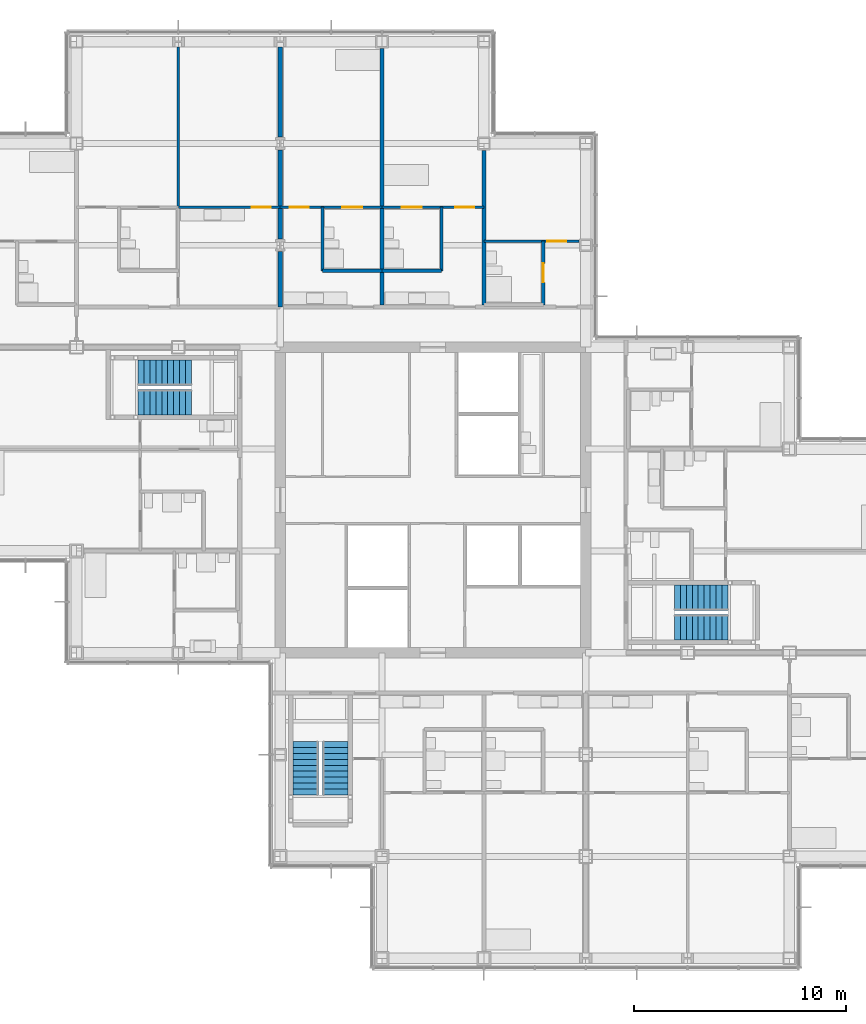
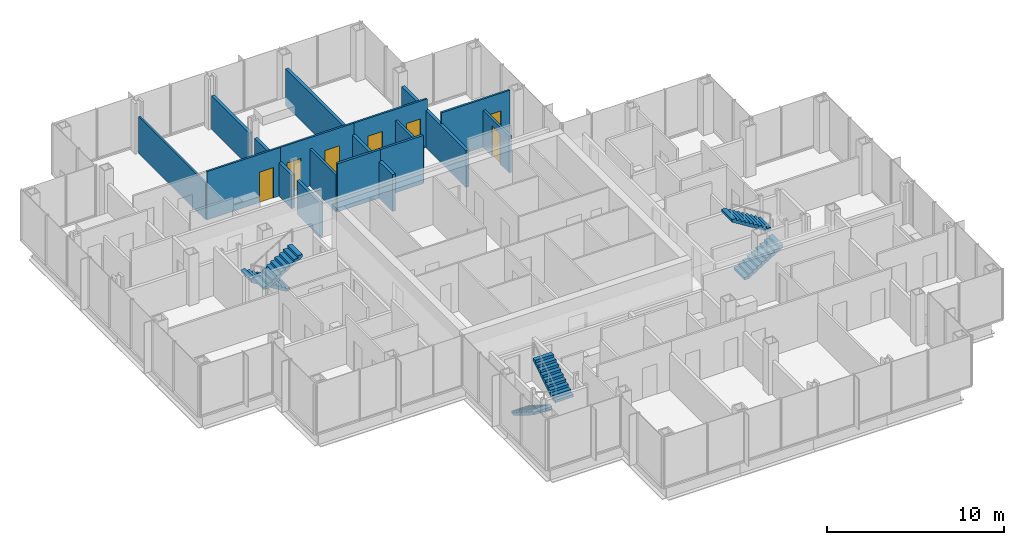
# One storey, part 16 of 19: 15 walls, 7 doors, 6 stair flights, 7 openings, 3 elements without a shape of their own.
"""IFC4 building model written with IfcOpenShell, lengths in metres."""

from ifc_helpers import new_model, si_unit, direction, frame, frame_2d, origin, place, context, subcontext, project, spatial, polyline, rectangle, outline, extrude, material, layer, layer_set, type_object, element, fill, aggregate, save


model = new_model("IFC4")

# Units and contexts
model_context = context("Model", 3, precision=1e-05, world=origin(), true_north=direction((0.0, 1.0)))
body_context = subcontext(model_context, "Body", "Model", "MODEL_VIEW")
ifc_project = project(units=[si_unit("LENGTHUNIT", "METRE"), si_unit("AREAUNIT", "SQUARE_METRE"), si_unit("VOLUMEUNIT", "CUBIC_METRE"), si_unit("PLANEANGLEUNIT", "RADIAN"), si_unit("MASSUNIT", "GRAM", prefix="KILO")], contexts=[model_context])

# Site, building, storey
site_placement = place(None, origin())
site = spatial("IfcSite", under=ifc_project, at=site_placement, CompositionType="ELEMENT")
building_placement = place(site_placement, origin())
building = spatial("IfcBuilding", under=site, at=building_placement, Name="Kvirike Care Tower", CompositionType="ELEMENT")
storey_placement = place(building_placement, frame((0.0, 0.0, 98.0)))
storey = spatial("IfcBuildingStorey", under=building, at=storey_placement, Name="L26", CompositionType="ELEMENT", Elevation=98.0)

# Wall, opening, door
ifc_material_1 = material(Name="Moisture-resistant board partition", Category="gypsum")
ifc_layer_1 = layer(ifc_material_1, 0.14990234375)
ifc_layer_set_1 = layer_set([ifc_layer_1], Name="BATHROOM WALL 150")
wall_type_1 = type_object("IfcWallType", Name="BATHROOM WALL 150", PredefinedType="PARTITIONING", material=ifc_layer_set_1)
wall_1_placement = place(storey_placement, frame((26.800048828125, 48.199951171875, 0.0), z_axis=(0.0, 0.0, 1.0), x_axis=(0.0, -1.0, 0.0)))
wall_1 = element("IfcWall", 1, at=wall_1_placement, inside=storey, type_object=wall_type_1, Name="Bathroom Wall 150 L26", PredefinedType="PARTITIONING", context=body_context, shape_type="SweptSolid", body=[
    extrude(rectangle(XDim=3.0, YDim=0.14990234375, at=frame_2d((1.5, 0.0))), origin(), (0.0, 0.0, 1.0), 2.550048828125),
])
opening_1_placement = place(wall_1_placement, frame((1.050048828125, 0.0, 0.0)))
opening_1 = element("IfcOpeningElement", 2, at=opening_1_placement, cuts=wall_1, Name="Opening 26-026", PredefinedType="OPENING", context=body_context, shape_type="SweptSolid", body=[
    extrude(rectangle(XDim=0.89990234375, YDim=2.10009765625, at=frame_2d((0.449951171875, 1.050048828125))), frame((0.0, 0.08544921875, 0.0), z_axis=(0.0, -1.0, 0.0), x_axis=(1.0, 0.0, 0.0)), (0.0, 0.0, 1.0), 0.1708984375),
])
ifc_material_2 = material(Name="Timber door set", Category="wood")
door_type_1 = type_object("IfcDoorType", Name="BATHROOM DOOR 900", OperationType="SINGLE_SWING_RIGHT", PredefinedType="DOOR", material=ifc_material_2)
door_1_placement = place(opening_1_placement, origin())
door_1 = element("IfcDoor", 3, at=door_1_placement, inside=storey, type_object=door_type_1, Name="Assisted bathroom door", OperationType="SINGLE_SWING_LEFT", OverallHeight=2.10009765625, OverallWidth=0.89990234375, PredefinedType="DOOR", context=body_context, shape_type="SweptSolid", body=[
    extrude(rectangle(XDim=0.89990234375, YDim=2.10009765625, at=frame_2d((0.449951171875, 1.050048828125))), frame((0.0, 0.02197265625, 0.0), z_axis=(0.0, -1.0, 0.0), x_axis=(1.0, 0.0, 0.0)), (0.0, 0.0, 1.0), 0.0439453125),
])
fill(opening_1, door_1)

# Walls
wall_2_placement = place(storey_placement, frame((22.0, 49.800048828125, 0.0), z_axis=(0.0, 0.0, 1.0), x_axis=(0.0, -1.0, 0.0)))
element("IfcWall", 4, at=wall_2_placement, inside=storey, type_object=wall_type_1, Name="Bathroom Wall 150 L26", PredefinedType="PARTITIONING", context=body_context, shape_type="SweptSolid", body=[
    extrude(rectangle(XDim=3.0, YDim=0.14990234375, at=frame_2d((1.5, 0.0))), origin(), (0.0, 0.0, 1.0), 2.550048828125),
])
wall_3_placement = place(storey_placement, frame((22.0, 46.800048828125, 0.0), z_axis=(0.0, 0.0, 1.0), x_axis=(-1.0, 0.0, 0.0)))
element("IfcWall", 5, at=wall_3_placement, inside=storey, type_object=wall_type_1, Name="Bathroom Wall 150 L26", PredefinedType="PARTITIONING", context=body_context, shape_type="SweptSolid", body=[
    extrude(rectangle(XDim=2.800048828125, YDim=0.14990234375, at=frame_2d((1.39990234375, 0.0))), origin(), (0.0, 0.0, 1.0), 3.330078125),
])
wall_4_placement = place(storey_placement, frame((16.39990234375, 49.800048828125, 0.0), z_axis=(0.0, 0.0, 1.0), x_axis=(0.0, -1.0, 0.0)))
element("IfcWall", 6, at=wall_4_placement, inside=storey, type_object=wall_type_1, Name="Bathroom Wall 150 L26", PredefinedType="PARTITIONING", context=body_context, shape_type="SweptSolid", body=[
    extrude(rectangle(XDim=3.0, YDim=0.14990234375, at=frame_2d((1.5, 0.0))), origin(), (0.0, 0.0, 1.0), 2.550048828125),
])
wall_5_placement = place(storey_placement, frame((19.199951171875, 46.800048828125, 0.0), z_axis=(0.0, 0.0, 1.0), x_axis=(-1.0, 0.0, 0.0)))
element("IfcWall", 7, at=wall_5_placement, inside=storey, type_object=wall_type_1, Name="Bathroom Wall 150 L26", PredefinedType="PARTITIONING", context=body_context, shape_type="SweptSolid", body=[
    extrude(rectangle(XDim=2.800048828125, YDim=0.14990234375, at=frame_2d((1.39990234375, 0.0))), origin(), (0.0, 0.0, 1.0), 3.330078125),
])

# Wall, opening, door
ifc_material_3 = material(Name="Plasterboard partition", Category="gypsum")
ifc_layer_2 = layer(ifc_material_3, 0.1201171875)
ifc_layer_set_2 = layer_set([ifc_layer_2], Name="PARTITION 120")
wall_type_2 = type_object("IfcWallType", Name="PARTITION 120", PredefinedType="PARTITIONING", material=ifc_layer_set_2)
wall_6_placement = place(storey_placement, frame((14.39990234375, 49.800048828125, 0.0), z_axis=(0.0, 0.0, 1.0), x_axis=(-1.0, 0.0, 0.0)))
wall_6 = element("IfcWall", 8, at=wall_6_placement, inside=storey, type_object=wall_type_2, Name="Partition 120 L26", PredefinedType="PARTITIONING", context=body_context, shape_type="SweptSolid", body=[
    extrude(rectangle(XDim=4.7998046875, YDim=0.1201171875, at=frame_2d((2.39990234375, 0.0))), origin(), (0.0, 0.0, 1.0), 3.330078125),
])
opening_2_placement = place(wall_6_placement, frame((0.449951171875, 0.0, 0.0)))
opening_2 = element("IfcOpeningElement", 9, at=opening_2_placement, cuts=wall_6, Name="Opening 26-011", PredefinedType="OPENING", context=body_context, shape_type="SweptSolid", body=[
    extrude(rectangle(XDim=0.89990234375, YDim=2.10009765625, at=frame_2d((0.449951171875, 1.050048828125))), frame((0.0, 0.070556640625, 0.0), z_axis=(0.0, -1.0, 0.0), x_axis=(1.0, 0.0, 0.0)), (0.0, 0.0, 1.0), 0.14111328125),
])
ifc_material_4 = material(Name="Timber door set", Category="wood")
door_type_2 = type_object("IfcDoorType", Name="INTERNAL DOOR 900", OperationType="SINGLE_SWING_LEFT", PredefinedType="DOOR", material=ifc_material_4)
door_2_placement = place(opening_2_placement, origin())
door_2 = element("IfcDoor", 10, at=door_2_placement, inside=storey, type_object=door_type_2, Name="Suite sitting room door", OperationType="SINGLE_SWING_RIGHT", OverallHeight=2.10009765625, OverallWidth=0.89990234375, PredefinedType="DOOR", context=body_context, shape_type="SweptSolid", body=[
    extrude(rectangle(XDim=0.89990234375, YDim=2.10009765625, at=frame_2d((0.449951171875, 1.050048828125))), frame((0.0, 0.02197265625, 0.0), z_axis=(0.0, -1.0, 0.0), x_axis=(1.0, 0.0, 0.0)), (0.0, 0.0, 1.0), 0.0439453125),
])
fill(opening_2, door_2)

# Wall
wall_7_placement = place(storey_placement, frame((9.60009765625, 57.35302734375, 0.0), z_axis=(0.0, 0.0, 1.0), x_axis=(0.0, -1.0, 0.0)))
element("IfcWall", 11, at=wall_7_placement, inside=storey, type_object=wall_type_2, Name="Partition 120 L26", PredefinedType="PARTITIONING", context=body_context, shape_type="SweptSolid", body=[
    extrude(rectangle(XDim=7.552978515625, YDim=0.1201171875, at=frame_2d((3.7763671875, 0.0))), origin(), (0.0, 0.0, 1.0), 2.550048828125),
])

# Wall, opening, door
wall_8_placement = place(storey_placement, frame((28.47998046875, 48.199951171875, 0.0), z_axis=(0.0, 0.0, 1.0), x_axis=(-1.0, 0.0, 0.0)))
wall_8 = element("IfcWall", 12, at=wall_8_placement, inside=storey, type_object=wall_type_2, Name="Partition 120 L26", PredefinedType="PARTITIONING", context=body_context, shape_type="SweptSolid", body=[
    extrude(rectangle(XDim=4.47998046875, YDim=0.1201171875, at=frame_2d((2.239990234375, 0.0))), origin(), (0.0, 0.0, 1.0), 3.330078125),
])
opening_3_placement = place(wall_8_placement, frame((0.60498046875, 0.0, 0.0)))
opening_3 = element("IfcOpeningElement", 13, at=opening_3_placement, cuts=wall_8, Name="Opening 26-027", PredefinedType="OPENING", context=body_context, shape_type="SweptSolid", body=[
    extrude(rectangle(XDim=0.89990234375, YDim=2.10009765625, at=frame_2d((0.449951171875, 1.050048828125))), frame((0.0, 0.070556640625, 0.0), z_axis=(0.0, -1.0, 0.0), x_axis=(1.0, 0.0, 0.0)), (0.0, 0.0, 1.0), 0.14111328125),
])
door_3_placement = place(opening_3_placement, origin())
door_3 = element("IfcDoor", 14, at=door_3_placement, inside=storey, type_object=door_type_2, Name="Care lounge door", OperationType="SINGLE_SWING_LEFT", OverallHeight=2.10009765625, OverallWidth=0.89990234375, PredefinedType="DOOR", context=body_context, shape_type="SweptSolid", body=[
    extrude(rectangle(XDim=0.89990234375, YDim=2.10009765625, at=frame_2d((0.449951171875, 1.050048828125))), frame((0.0, 0.02197265625, 0.0), z_axis=(0.0, -1.0, 0.0), x_axis=(1.0, 0.0, 0.0)), (0.0, 0.0, 1.0), 0.0439453125),
])
fill(opening_3, door_3)

# Wall, openings, doors
wall_9_placement = place(storey_placement, frame((24.0, 49.800048828125, 0.0), z_axis=(0.0, 0.0, 1.0), x_axis=(-1.0, 0.0, 0.0)))
wall_9 = element("IfcWall", 15, at=wall_9_placement, inside=storey, type_object=wall_type_2, Name="Partition 120 L26", PredefinedType="PARTITIONING", context=body_context, shape_type="SweptSolid", body=[
    extrude(rectangle(XDim=4.800048828125, YDim=0.1201171875, at=frame_2d((2.39990234375, 0.0))), origin(), (0.0, 0.0, 1.0), 3.330078125),
])
opening_4_placement = place(wall_9_placement, frame((0.449951171875, 0.0, 0.0)))
opening_4 = element("IfcOpeningElement", 16, at=opening_4_placement, cuts=wall_9, Name="Opening 26-028", PredefinedType="OPENING", context=body_context, shape_type="SweptSolid", body=[
    extrude(rectangle(XDim=0.89990234375, YDim=2.10009765625, at=frame_2d((0.449951171875, 1.050048828125))), frame((0.0, 0.070556640625, 0.0), z_axis=(0.0, -1.0, 0.0), x_axis=(1.0, 0.0, 0.0)), (0.0, 0.0, 1.0), 0.14111328125),
])
opening_5_placement = place(wall_9_placement, frame((2.925048828125, 0.0, 0.0)))
opening_5 = element("IfcOpeningElement", 17, at=opening_5_placement, cuts=wall_9, Name="Opening 26-029", PredefinedType="OPENING", context=body_context, shape_type="SweptSolid", body=[
    extrude(rectangle(XDim=0.949951171875, YDim=2.10009765625, at=frame_2d((0.47509765625, 1.050048828125))), frame((0.0, 0.070556640625, 0.0), z_axis=(0.0, -1.0, 0.0), x_axis=(1.0, 0.0, 0.0)), (0.0, 0.0, 1.0), 0.14111328125),
])
ifc_material_5 = material(Name="Timber door set", Category="wood")
door_type_3 = type_object("IfcDoorType", Name="EN-SUITE SLIDING DOOR 950", OperationType="SLIDING_TO_LEFT", PredefinedType="DOOR", material=ifc_material_5)
door_4_placement = place(opening_5_placement, origin())
door_4 = element("IfcDoor", 18, at=door_4_placement, inside=storey, type_object=door_type_3, Name="En-suite door", OperationType="SLIDING_TO_LEFT", OverallHeight=2.10009765625, OverallWidth=0.949951171875, PredefinedType="DOOR", context=body_context, shape_type="SweptSolid", body=[
    extrude(rectangle(XDim=0.949951171875, YDim=2.10009765625, at=frame_2d((0.47509765625, 1.050048828125))), frame((0.0, 0.02197265625, 0.0), z_axis=(0.0, -1.0, 0.0), x_axis=(1.0, 0.0, 0.0)), (0.0, 0.0, 1.0), 0.0439453125),
])
fill(opening_5, door_4)
door_5_placement = place(opening_4_placement, origin())
door_5 = element("IfcDoor", 19, at=door_5_placement, inside=storey, type_object=door_type_2, Name="Assisted living suite door", OperationType="SINGLE_SWING_RIGHT", OverallHeight=2.10009765625, OverallWidth=0.89990234375, PredefinedType="DOOR", context=body_context, shape_type="SweptSolid", body=[
    extrude(rectangle(XDim=0.89990234375, YDim=2.10009765625, at=frame_2d((0.449951171875, 1.050048828125))), frame((0.0, 0.02197265625, 0.0), z_axis=(0.0, -1.0, 0.0), x_axis=(1.0, 0.0, 0.0)), (0.0, 0.0, 1.0), 0.0439453125),
])
fill(opening_4, door_5)

wall_10_placement = place(storey_placement, frame((19.199951171875, 49.800048828125, 0.0), z_axis=(0.0, 0.0, 1.0), x_axis=(-1.0, 0.0, 0.0)))
wall_10 = element("IfcWall", 20, at=wall_10_placement, inside=storey, type_object=wall_type_2, Name="Partition 120 L26", PredefinedType="PARTITIONING", context=body_context, shape_type="SweptSolid", body=[
    extrude(rectangle(XDim=4.800048828125, YDim=0.1201171875, at=frame_2d((2.39990234375, 0.0))), origin(), (0.0, 0.0, 1.0), 3.330078125),
])
opening_6_placement = place(wall_10_placement, frame((3.449951171875, 0.0, 0.0)))
opening_6 = element("IfcOpeningElement", 21, at=opening_6_placement, cuts=wall_10, Name="Opening 26-030", PredefinedType="OPENING", context=body_context, shape_type="SweptSolid", body=[
    extrude(rectangle(XDim=0.89990234375, YDim=2.10009765625, at=frame_2d((0.449951171875, 1.050048828125))), frame((0.0, 0.070556640625, 0.0), z_axis=(0.0, -1.0, 0.0), x_axis=(1.0, 0.0, 0.0)), (0.0, 0.0, 1.0), 0.14111328125),
])
opening_7_placement = place(wall_10_placement, frame((0.925048828125, 0.0, 0.0)))
opening_7 = element("IfcOpeningElement", 22, at=opening_7_placement, cuts=wall_10, Name="Opening 26-031", PredefinedType="OPENING", context=body_context, shape_type="SweptSolid", body=[
    extrude(rectangle(XDim=0.949951171875, YDim=2.10009765625, at=frame_2d((0.47509765625, 1.050048828125))), frame((0.0, 0.070556640625, 0.0), z_axis=(0.0, -1.0, 0.0), x_axis=(1.0, 0.0, 0.0)), (0.0, 0.0, 1.0), 0.14111328125),
])
door_6_placement = place(opening_7_placement, origin())
door_6 = element("IfcDoor", 23, at=door_6_placement, inside=storey, type_object=door_type_3, Name="En-suite door", OperationType="SLIDING_TO_RIGHT", OverallHeight=2.10009765625, OverallWidth=0.949951171875, PredefinedType="DOOR", context=body_context, shape_type="SweptSolid", body=[
    extrude(rectangle(XDim=0.949951171875, YDim=2.10009765625, at=frame_2d((0.47509765625, 1.050048828125))), frame((0.0, 0.02197265625, 0.0), z_axis=(0.0, -1.0, 0.0), x_axis=(1.0, 0.0, 0.0)), (0.0, 0.0, 1.0), 0.0439453125),
])
fill(opening_7, door_6)
door_7_placement = place(opening_6_placement, origin())
door_7 = element("IfcDoor", 24, at=door_7_placement, inside=storey, type_object=door_type_2, Name="Assisted living suite door", OperationType="SINGLE_SWING_LEFT", OverallHeight=2.10009765625, OverallWidth=0.89990234375, PredefinedType="DOOR", context=body_context, shape_type="SweptSolid", body=[
    extrude(rectangle(XDim=0.89990234375, YDim=2.10009765625, at=frame_2d((0.449951171875, 1.050048828125))), frame((0.0, 0.02197265625, 0.0), z_axis=(0.0, -1.0, 0.0), x_axis=(1.0, 0.0, 0.0)), (0.0, 0.0, 1.0), 0.0439453125),
])
fill(opening_6, door_7)

# Walls
ifc_material_6 = material(Name="Plasterboard party wall", Category="gypsum")
ifc_layer_3 = layer(ifc_material_6, 0.199951171875)
ifc_layer_set_3 = layer_set([ifc_layer_3], Name="PARTY WALL 200")
wall_type_3 = type_object("IfcWallType", Name="PARTY WALL 200", PredefinedType="PARTITIONING", material=ifc_layer_set_3)
wall_11_placement = place(storey_placement, frame((24.0, 52.47998046875, 0.0), z_axis=(0.0, 0.0, 1.0), x_axis=(0.0, -1.0, 0.0)))
element("IfcWall", 25, at=wall_11_placement, inside=storey, type_object=wall_type_3, Name="Party Wall 200 L26", PredefinedType="PARTITIONING", context=body_context, shape_type="SweptSolid", body=[
    extrude(rectangle(XDim=7.280029296875, YDim=0.199951171875, at=frame_2d((3.64013671875, 0.0))), origin(), (0.0, 0.0, 1.0), 2.550048828125),
])
wall_12_placement = place(storey_placement, frame((19.199951171875, 57.280029296875, 0.0), z_axis=(0.0, 0.0, 1.0), x_axis=(0.0, -1.0, 0.0)))
element("IfcWall", 26, at=wall_12_placement, inside=storey, type_object=wall_type_3, Name="Party Wall 200 L26", PredefinedType="PARTITIONING", context=body_context, shape_type="SweptSolid", body=[
    extrude(rectangle(XDim=12.080078125, YDim=0.199951171875, at=frame_2d((6.0400390625, 0.0))), origin(), (0.0, 0.0, 1.0), 2.550048828125),
])
wall_13_placement = place(storey_placement, frame((14.39990234375, 45.10009765625, 0.0), z_axis=(0.0, 0.0, 1.0), x_axis=(0.0, 1.0, 0.0)))
element("IfcWall", 27, at=wall_13_placement, inside=storey, type_object=wall_type_3, Name="Party Wall 200 L26", PredefinedType="PARTITIONING", context=body_context, shape_type="SweptSolid", body=[
    extrude(rectangle(XDim=2.60498046875, YDim=0.199951171875, at=frame_2d((1.302490234375, 0.0))), origin(), (0.0, 0.0, 1.0), 2.320068359375),
])
wall_14_placement = place(storey_placement, frame((14.39990234375, 48.294921875, 0.0), z_axis=(0.0, 0.0, 1.0), x_axis=(0.0, 1.0, 0.0)))
element("IfcWall", 28, at=wall_14_placement, inside=storey, type_object=wall_type_3, Name="Party Wall 200 L26", PredefinedType="PARTITIONING", context=body_context, shape_type="SweptSolid", body=[
    extrude(rectangle(XDim=4.2099609375, YDim=0.199951171875, at=frame_2d((2.10498046875, 0.0))), origin(), (0.0, 0.0, 1.0), 2.320068359375),
])
wall_15_placement = place(storey_placement, frame((14.39990234375, 53.094970703125, 0.0), z_axis=(0.0, 0.0, 1.0), x_axis=(0.0, 1.0, 0.0)))
element("IfcWall", 29, at=wall_15_placement, inside=storey, type_object=wall_type_3, Name="Party Wall 200 L26", PredefinedType="PARTITIONING", context=body_context, shape_type="SweptSolid", body=[
    extrude(rectangle(XDim=4.258056640625, YDim=0.199951171875, at=frame_2d((2.12890625, 0.0))), origin(), (0.0, 0.0, 1.0), 2.320068359375),
])

# Stair, stair flights
ifc_material_7 = material(Name="Concrete C35/45", Category="concrete")
stair_type = type_object("IfcStairType", Name="STAIR 20 RISERS", PredefinedType="HALF_TURN_STAIR", material=ifc_material_7)
stair_1_placement = place(storey_placement, origin())
stair_1 = element("IfcStair", 30, at=stair_1_placement, inside=storey, type_object=stair_type, Name="Stair 1 L26", PredefinedType="HALF_TURN_STAIR")
ifc_material_8 = material(Name="Concrete C35/45", Category="concrete")
stair_flight_type = type_object("IfcStairFlightType", Name="FLIGHT 10 RISERS", PredefinedType="STRAIGHT", material=ifc_material_8)
stair_flight_1_placement = place(storey_placement, frame((10.219970703125, 42.0, 0.0), z_axis=(0.0, 0.0, 1.0), x_axis=(-1.0, 0.0, 0.0)))
stair_flight_1 = element("IfcStairFlight", 31, at=stair_flight_1_placement, type_object=stair_flight_type, Name="Stair S1 flight 1 L26-L27", NumberOfRisers=10, NumberOfTreads=9, PredefinedType="STRAIGHT", RiserHeight=0.175, TreadLength=0.28, context=body_context, shape_type="SweptSolid", body=[
    extrude(outline(polyline([(0.0, 0.0), (0.0, 0.175048828125), (0.280029296875, 0.175048828125), (0.280029296875, 0.35009765625), (0.56005859375, 0.35009765625), (0.56005859375, 0.52490234375), (0.840087890625, 0.52490234375), (0.840087890625, 0.699951171875), (1.1201171875, 0.699951171875), (1.1201171875, 0.875), (1.39990234375, 0.875), (1.39990234375, 1.050048828125), (1.679931640625, 1.050048828125), (1.679931640625, 1.22509765625), (1.9599609375, 1.22509765625), (1.9599609375, 1.39990234375), (2.239990234375, 1.39990234375), (2.239990234375, 1.574951171875), (2.52001953125, 1.574951171875), (2.52001953125, 1.75), (2.52001953125, 1.398193359375), (0.28271484375, 0.0), (0.0, 0.0)])), frame((0.0, 0.60009765625, 0.0), z_axis=(0.0, -1.0, 0.0), x_axis=(1.0, 0.0, 0.0)), (0.0, 0.0, 1.0), 1.199951171875),
])
stair_flight_2_placement = place(storey_placement, frame((7.699951171875, 40.60009765625, 1.75), z_axis=(0.0, 0.0, 1.0), x_axis=(1.0, 0.0, 0.0)))
stair_flight_2 = element("IfcStairFlight", 32, at=stair_flight_2_placement, type_object=stair_flight_type, Name="Stair S1 flight 2 L26-L27", NumberOfRisers=10, NumberOfTreads=9, PredefinedType="STRAIGHT", RiserHeight=0.175, TreadLength=0.28, context=body_context, shape_type="SweptSolid", body=[
    extrude(outline(polyline([(0.0, 0.0), (0.0, 0.175048828125), (0.280029296875, 0.175048828125), (0.280029296875, 0.35009765625), (0.56005859375, 0.35009765625), (0.56005859375, 0.52490234375), (0.840087890625, 0.52490234375), (0.840087890625, 0.699951171875), (1.1201171875, 0.699951171875), (1.1201171875, 0.875), (1.39990234375, 0.875), (1.39990234375, 1.050048828125), (1.679931640625, 1.050048828125), (1.679931640625, 1.22509765625), (1.9599609375, 1.22509765625), (1.9599609375, 1.39990234375), (2.239990234375, 1.39990234375), (2.239990234375, 1.574951171875), (2.52001953125, 1.574951171875), (2.52001953125, 1.75), (2.52001953125, 1.398193359375), (0.28271484375, 0.0), (0.0, 0.0)])), frame((0.0, 0.60009765625, 0.0), z_axis=(0.0, -1.0, 0.0), x_axis=(1.0, 0.0, 0.0)), (0.0, 0.0, 1.0), 1.199951171875),
])
aggregate(stair_1, [stair_flight_1, stair_flight_2])

stair_2_placement = place(storey_placement, origin())
stair_2 = element("IfcStair", 33, at=stair_2_placement, inside=storey, type_object=stair_type, Name="Stair 2 L26", PredefinedType="HALF_TURN_STAIR")
stair_flight_3_placement = place(storey_placement, frame((32.97998046875, 30.0, 0.0), z_axis=(0.0, 0.0, 1.0), x_axis=(1.0, 0.0, 0.0)))
stair_flight_3 = element("IfcStairFlight", 34, at=stair_flight_3_placement, type_object=stair_flight_type, Name="Stair S2 flight 1 L26-L27", NumberOfRisers=10, NumberOfTreads=9, PredefinedType="STRAIGHT", RiserHeight=0.175, TreadLength=0.28, context=body_context, shape_type="SweptSolid", body=[
    extrude(outline(polyline([(0.0, 0.0), (0.0, 0.175048828125), (0.280029296875, 0.175048828125), (0.280029296875, 0.35009765625), (0.56005859375, 0.35009765625), (0.56005859375, 0.52490234375), (0.840087890625, 0.52490234375), (0.840087890625, 0.699951171875), (1.1201171875, 0.699951171875), (1.1201171875, 0.875), (1.39990234375, 0.875), (1.39990234375, 1.050048828125), (1.679931640625, 1.050048828125), (1.679931640625, 1.22509765625), (1.9599609375, 1.22509765625), (1.9599609375, 1.39990234375), (2.239990234375, 1.39990234375), (2.239990234375, 1.574951171875), (2.52001953125, 1.574951171875), (2.52001953125, 1.75), (2.52001953125, 1.398193359375), (0.28271484375, 0.0), (0.0, 0.0)])), frame((0.0, 0.60009765625, 0.0), z_axis=(0.0, -1.0, 0.0), x_axis=(1.0, 0.0, 0.0)), (0.0, 0.0, 1.0), 1.199951171875),
])
stair_flight_4_placement = place(storey_placement, frame((35.5, 31.39990234375, 1.75), z_axis=(0.0, 0.0, 1.0), x_axis=(-1.0, 0.0, 0.0)))
stair_flight_4 = element("IfcStairFlight", 35, at=stair_flight_4_placement, type_object=stair_flight_type, Name="Stair S2 flight 2 L26-L27", NumberOfRisers=10, NumberOfTreads=9, PredefinedType="STRAIGHT", RiserHeight=0.175, TreadLength=0.28, context=body_context, shape_type="SweptSolid", body=[
    extrude(outline(polyline([(0.0, 0.0), (0.0, 0.175048828125), (0.280029296875, 0.175048828125), (0.280029296875, 0.35009765625), (0.56005859375, 0.35009765625), (0.56005859375, 0.52490234375), (0.840087890625, 0.52490234375), (0.840087890625, 0.699951171875), (1.1201171875, 0.699951171875), (1.1201171875, 0.875), (1.39990234375, 0.875), (1.39990234375, 1.050048828125), (1.679931640625, 1.050048828125), (1.679931640625, 1.22509765625), (1.9599609375, 1.22509765625), (1.9599609375, 1.39990234375), (2.239990234375, 1.39990234375), (2.239990234375, 1.574951171875), (2.52001953125, 1.574951171875), (2.52001953125, 1.75), (2.52001953125, 1.398193359375), (0.28271484375, 0.0), (0.0, 0.0)])), frame((0.0, 0.60009765625, 0.0), z_axis=(0.0, -1.0, 0.0), x_axis=(1.0, 0.0, 0.0)), (0.0, 0.0, 1.0), 1.199951171875),
])
aggregate(stair_2, [stair_flight_3, stair_flight_4])

stair_3_placement = place(storey_placement, origin())
stair_3 = element("IfcStair", 36, at=stair_3_placement, inside=storey, type_object=stair_type, Name="Stair 5 L26", PredefinedType="HALF_TURN_STAIR")
stair_flight_5_placement = place(storey_placement, frame((15.60009765625, 24.6201171875, 0.0), z_axis=(0.0, 0.0, 1.0), x_axis=(0.0, -1.0, 0.0)))
stair_flight_5 = element("IfcStairFlight", 37, at=stair_flight_5_placement, type_object=stair_flight_type, Name="Stair S5 flight 1 L26-L27", NumberOfRisers=10, NumberOfTreads=9, PredefinedType="STRAIGHT", RiserHeight=0.175, TreadLength=0.28, context=body_context, shape_type="SweptSolid", body=[
    extrude(outline(polyline([(0.0, 0.0), (0.0, 0.175048828125), (0.280029296875, 0.175048828125), (0.280029296875, 0.35009765625), (0.56005859375, 0.35009765625), (0.56005859375, 0.52490234375), (0.840087890625, 0.52490234375), (0.840087890625, 0.699951171875), (1.1201171875, 0.699951171875), (1.1201171875, 0.875), (1.39990234375, 0.875), (1.39990234375, 1.050048828125), (1.679931640625, 1.050048828125), (1.679931640625, 1.22509765625), (1.9599609375, 1.22509765625), (1.9599609375, 1.39990234375), (2.239990234375, 1.39990234375), (2.239990234375, 1.574951171875), (2.52001953125, 1.574951171875), (2.52001953125, 1.75), (2.52001953125, 1.398193359375), (0.28271484375, 0.0), (0.0, 0.0)])), frame((0.0, 0.60009765625, 0.0), z_axis=(0.0, -1.0, 0.0), x_axis=(1.0, 0.0, 0.0)), (0.0, 0.0, 1.0), 1.199951171875),
])
stair_flight_6_placement = place(storey_placement, frame((17.0, 22.10009765625, 1.75), z_axis=(0.0, 0.0, 1.0), x_axis=(0.0, 1.0, 0.0)))
stair_flight_6 = element("IfcStairFlight", 38, at=stair_flight_6_placement, type_object=stair_flight_type, Name="Stair S5 flight 2 L26-L27", NumberOfRisers=10, NumberOfTreads=9, PredefinedType="STRAIGHT", RiserHeight=0.175, TreadLength=0.28, context=body_context, shape_type="SweptSolid", body=[
    extrude(outline(polyline([(0.0, 0.0), (0.0, 0.175048828125), (0.280029296875, 0.175048828125), (0.280029296875, 0.35009765625), (0.56005859375, 0.35009765625), (0.56005859375, 0.52490234375), (0.840087890625, 0.52490234375), (0.840087890625, 0.699951171875), (1.1201171875, 0.699951171875), (1.1201171875, 0.875), (1.39990234375, 0.875), (1.39990234375, 1.050048828125), (1.679931640625, 1.050048828125), (1.679931640625, 1.22509765625), (1.9599609375, 1.22509765625), (1.9599609375, 1.39990234375), (2.239990234375, 1.39990234375), (2.239990234375, 1.574951171875), (2.52001953125, 1.574951171875), (2.52001953125, 1.75), (2.52001953125, 1.398193359375), (0.28271484375, 0.0), (0.0, 0.0)])), frame((0.0, 0.60009765625, 0.0), z_axis=(0.0, -1.0, 0.0), x_axis=(1.0, 0.0, 0.0)), (0.0, 0.0, 1.0), 1.199951171875),
])
aggregate(stair_3, [stair_flight_5, stair_flight_6])

save(model, "model.ifc")
